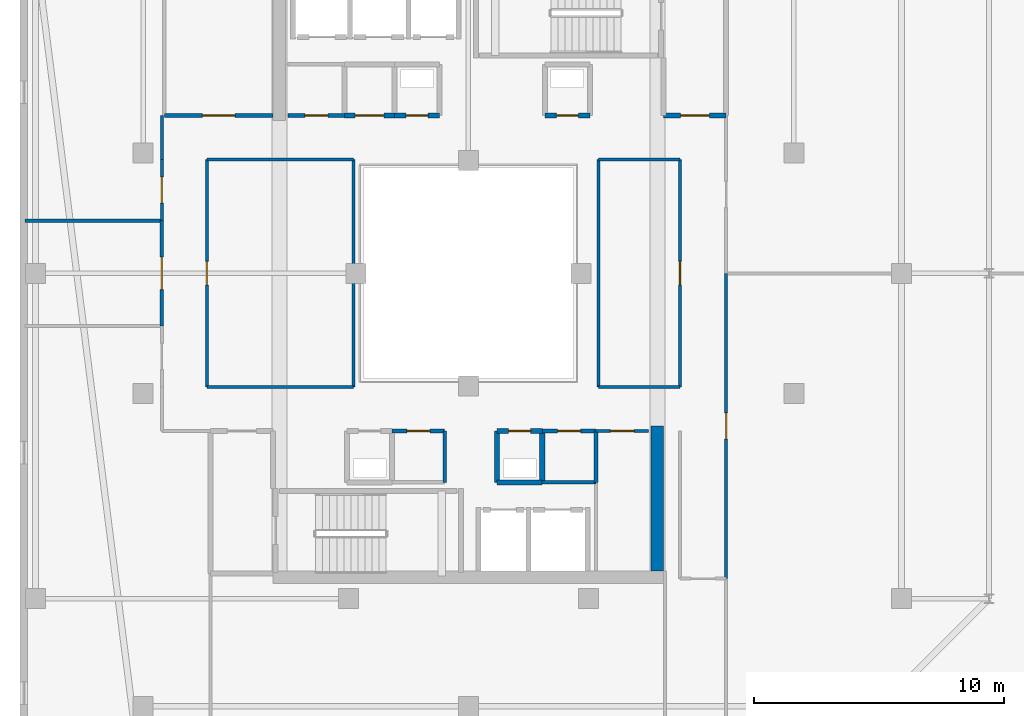
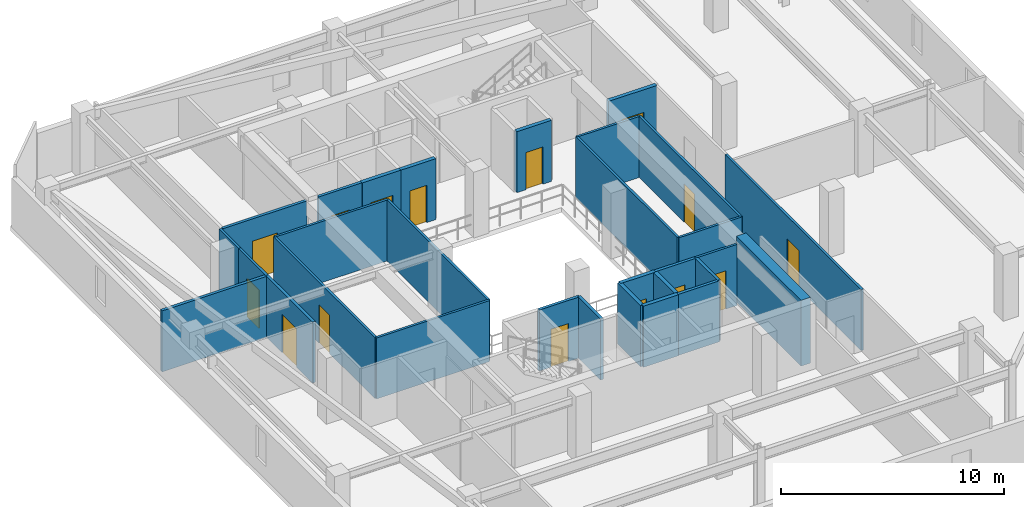
# One storey, part 22 of 34: 30 walls, 15 doors, 15 openings.
"""IFC4 building model written with IfcOpenShell, lengths in metres."""

from ifc_helpers import new_model, si_unit, direction, frame, frame_2d, origin, place, context, subcontext, project, spatial, rectangle, extrude, material, layer, layer_set, type_object, element, fill, save


model = new_model("IFC4")

# Units and contexts
model_context = context("Model", 3, precision=1e-05, world=origin(), true_north=direction((0.0, 1.0)))
body_context = subcontext(model_context, "Body", "Model", "MODEL_VIEW")
ifc_project = project(units=[si_unit("LENGTHUNIT", "METRE"), si_unit("AREAUNIT", "SQUARE_METRE"), si_unit("VOLUMEUNIT", "CUBIC_METRE"), si_unit("PLANEANGLEUNIT", "RADIAN"), si_unit("MASSUNIT", "GRAM", prefix="KILO")], contexts=[model_context])

# Site, building, storey
site_placement = place(None, origin())
site = spatial("IfcSite", under=ifc_project, at=site_placement, CompositionType="ELEMENT")
building_placement = place(site_placement, origin())
building = spatial("IfcBuilding", under=site, at=building_placement, Name="Thornwick Lancets Civic Towers", CompositionType="ELEMENT")
storey_placement = place(building_placement, frame((0.0, 0.0, 258.300048828125)))
storey = spatial("IfcBuildingStorey", under=building, at=storey_placement, Name="L69", CompositionType="ELEMENT", Elevation=258.300048828125)

# Wall, opening, door
ifc_material_1 = material(Name="Concrete blockwork C40/50", Category="masonry")
ifc_layer_1 = layer(ifc_material_1, 0.199951171875, Name="Concrete blockwork C40/50")
ifc_layer_set_1 = layer_set([ifc_layer_1], Name="Concrete blockwork C40/50")
wall_type_1 = type_object("IfcWallType", Name="WALL_COMP_200", PredefinedType="STANDARD", material=ifc_layer_set_1)
wall_1_placement = place(storey_placement, frame((33.300048828125, 33.300048828125, 0.0), z_axis=(0.0, 0.0, 1.0), x_axis=(1.0, 0.0, 0.0)))
wall_1 = element("IfcWall", 1, at=wall_1_placement, inside=storey, type_object=wall_type_1, Name="L69 Partition L69-A-FFLOB2 E1", PredefinedType="STANDARD", context=body_context, shape_type="SweptSolid", body=[
    extrude(rectangle(XDim=2.5, YDim=0.199951171875, at=frame_2d((1.25, 0.0))), origin(), (0.0, 0.0, 1.0), 3.33984375),
])
opening_1_placement = place(wall_1_placement, frame((0.675048828125, 0.0, 0.0)))
opening_1 = element("IfcOpeningElement", 2, at=opening_1_placement, cuts=wall_1, Name="Opening D-L69-3136", PredefinedType="OPENING", context=body_context, shape_type="SweptSolid", body=[
    extrude(rectangle(XDim=1.14990234375, YDim=2.10009765625, at=frame_2d((0.574951171875, 1.050048828125))), frame((0.0, 0.10986328125, 0.0), z_axis=(0.0, -1.0, 0.0), x_axis=(1.0, 0.0, 0.0)), (0.0, 0.0, 1.0), 0.219970703125),
])
ifc_material_2 = material(Name="Glazed fire-resisting steel", Category="steel")
door_type_1 = type_object("IfcDoorType", Name="DOOR_LOBBY_FD60", OperationType="NOTDEFINED", PredefinedType="DOOR", material=ifc_material_2)
door_1_placement = place(opening_1_placement, origin())
door_1 = element("IfcDoor", 3, at=door_1_placement, inside=storey, type_object=door_type_1, Name="L69 North Firefighting Lobby 2 Door", OperationType="SINGLE_SWING_LEFT", OverallHeight=2.10009765625, OverallWidth=1.14990234375, PredefinedType="DOOR", context=body_context, shape_type="SweptSolid", body=[
    extrude(rectangle(XDim=1.14990234375, YDim=2.10009765625, at=frame_2d((0.574951171875, 1.050048828125))), frame((0.0, 0.02490234375, 0.0), z_axis=(0.0, -1.0, 0.0), x_axis=(1.0, 0.0, 0.0)), (0.0, 0.0, 1.0), 0.050048828125),
])
fill(opening_1, door_1)

# Walls
wall_2_placement = place(storey_placement, frame((26.64990234375, 18.64990234375, 0.0), z_axis=(0.0, 0.0, 1.0), x_axis=(1.0, 0.0, 0.0)))
element("IfcWall", 4, at=wall_2_placement, inside=storey, type_object=wall_type_1, Name="L69 Partition L69-A-DUCT1 E1", PredefinedType="STANDARD", context=body_context, shape_type="SweptSolid", body=[
    extrude(rectangle(XDim=1.800048828125, YDim=0.199951171875, at=frame_2d((0.89990234375, 0.0))), origin(), (0.0, 0.0, 1.0), 3.33984375),
])
wall_3_placement = place(storey_placement, frame((28.449951171875, 18.64990234375, 0.0), z_axis=(0.0, 0.0, 1.0), x_axis=(0.0, 1.0, 0.0)))
element("IfcWall", 5, at=wall_3_placement, inside=storey, type_object=wall_type_1, Name="L69 Partition L69-A-DUCT1 E2", PredefinedType="STANDARD", context=body_context, shape_type="SweptSolid", body=[
    extrude(rectangle(XDim=2.050048828125, YDim=0.199951171875, at=frame_2d((1.02490234375, 0.0))), origin(), (0.0, 0.0, 1.0), 3.33984375),
])

# Wall, opening, door
wall_4_placement = place(storey_placement, frame((28.449951171875, 20.699951171875, 0.0), z_axis=(0.0, 0.0, 1.0), x_axis=(-1.0, 0.0, 0.0)))
wall_4 = element("IfcWall", 6, at=wall_4_placement, inside=storey, type_object=wall_type_1, Name="L69 Partition L69-A-DUCT1 E3", PredefinedType="STANDARD", context=body_context, shape_type="SweptSolid", body=[
    extrude(rectangle(XDim=1.800048828125, YDim=0.199951171875, at=frame_2d((0.89990234375, 0.0))), origin(), (0.0, 0.0, 1.0), 3.33984375),
])
opening_2_placement = place(wall_4_placement, frame((0.4599609375, 0.0, 0.0)))
opening_2 = element("IfcOpeningElement", 7, at=opening_2_placement, cuts=wall_4, Name="Opening D-L69-3137", PredefinedType="OPENING", context=body_context, shape_type="SweptSolid", body=[
    extrude(rectangle(XDim=0.8798828125, YDim=2.0400390625, at=frame_2d((0.43994140625, 1.02001953125))), frame((0.0, 0.10986328125, 0.0), z_axis=(0.0, -1.0, 0.0), x_axis=(1.0, 0.0, 0.0)), (0.0, 0.0, 1.0), 0.219970703125),
])
ifc_material_3 = material(Name="Steel riser access doorset", Category="steel")
door_type_2 = type_object("IfcDoorType", Name="DOOR_RISER_850", OperationType="NOTDEFINED", PredefinedType="DOOR", material=ifc_material_3)
door_2_placement = place(opening_2_placement, origin())
door_2 = element("IfcDoor", 8, at=door_2_placement, inside=storey, type_object=door_type_2, Name="L69 South Service Duct 1 Door", OperationType="SINGLE_SWING_RIGHT", OverallHeight=2.0400390625, OverallWidth=0.8798828125, PredefinedType="DOOR", context=body_context, shape_type="SweptSolid", body=[
    extrude(rectangle(XDim=0.8798828125, YDim=2.0400390625, at=frame_2d((0.43994140625, 1.02001953125))), frame((0.0, 0.02490234375, 0.0), z_axis=(0.0, -1.0, 0.0), x_axis=(1.0, 0.0, 0.0)), (0.0, 0.0, 1.0), 0.050048828125),
])
fill(opening_2, door_2)

# Wall
wall_5_placement = place(storey_placement, frame((26.64990234375, 20.699951171875, 0.0), z_axis=(0.0, 0.0, 1.0), x_axis=(0.0, -1.0, 0.0)))
element("IfcWall", 9, at=wall_5_placement, inside=storey, type_object=wall_type_1, Name="L69 Partition L69-A-DUCT1 E4", PredefinedType="STANDARD", context=body_context, shape_type="SweptSolid", body=[
    extrude(rectangle(XDim=2.050048828125, YDim=0.199951171875, at=frame_2d((1.02490234375, 0.0))), origin(), (0.0, 0.0, 1.0), 3.33984375),
])

# Wall, opening, door
wall_6_placement = place(storey_placement, frame((22.550048828125, 33.300048828125, 0.0), z_axis=(0.0, 0.0, 1.0), x_axis=(1.0, 0.0, 0.0)))
wall_6 = element("IfcWall", 10, at=wall_6_placement, inside=storey, type_object=wall_type_1, Name="L69 Partition L69-A-DUCT2 E1", PredefinedType="STANDARD", context=body_context, shape_type="SweptSolid", body=[
    extrude(rectangle(XDim=1.800048828125, YDim=0.199951171875, at=frame_2d((0.89990234375, 0.0))), origin(), (0.0, 0.0, 1.0), 3.33984375),
])
opening_3_placement = place(wall_6_placement, frame((0.4599609375, 0.0, 0.0)))
opening_3 = element("IfcOpeningElement", 11, at=opening_3_placement, cuts=wall_6, Name="Opening D-L69-3139", PredefinedType="OPENING", context=body_context, shape_type="SweptSolid", body=[
    extrude(rectangle(XDim=0.8798828125, YDim=2.0400390625, at=frame_2d((0.43994140625, 1.02001953125))), frame((0.0, 0.10986328125, 0.0), z_axis=(0.0, -1.0, 0.0), x_axis=(1.0, 0.0, 0.0)), (0.0, 0.0, 1.0), 0.219970703125),
])
door_3_placement = place(opening_3_placement, origin())
door_3 = element("IfcDoor", 12, at=door_3_placement, inside=storey, type_object=door_type_2, Name="L69 North Service Duct 2 Door", OperationType="SINGLE_SWING_RIGHT", OverallHeight=2.0400390625, OverallWidth=0.8798828125, PredefinedType="DOOR", context=body_context, shape_type="SweptSolid", body=[
    extrude(rectangle(XDim=0.8798828125, YDim=2.0400390625, at=frame_2d((0.43994140625, 1.02001953125))), frame((0.0, 0.02490234375, 0.0), z_axis=(0.0, -1.0, 0.0), x_axis=(1.0, 0.0, 0.0)), (0.0, 0.0, 1.0), 0.050048828125),
])
fill(opening_3, door_3)

wall_7_placement = place(storey_placement, frame((28.550048828125, 33.300048828125, 0.0), z_axis=(0.0, 0.0, 1.0), x_axis=(1.0, 0.0, 0.0)))
wall_7 = element("IfcWall", 13, at=wall_7_placement, inside=storey, type_object=wall_type_1, Name="L69 Partition L69-A-RISER2 E1", PredefinedType="STANDARD", context=body_context, shape_type="SweptSolid", body=[
    extrude(rectangle(XDim=1.800048828125, YDim=0.199951171875, at=frame_2d((0.89990234375, 0.0))), origin(), (0.0, 0.0, 1.0), 3.33984375),
])
opening_4_placement = place(wall_7_placement, frame((0.4599609375, 0.0, 0.0)))
opening_4 = element("IfcOpeningElement", 14, at=opening_4_placement, cuts=wall_7, Name="Opening D-L69-3140", PredefinedType="OPENING", context=body_context, shape_type="SweptSolid", body=[
    extrude(rectangle(XDim=0.8798828125, YDim=2.0400390625, at=frame_2d((0.43994140625, 1.02001953125))), frame((0.0, 0.10986328125, 0.0), z_axis=(0.0, -1.0, 0.0), x_axis=(1.0, 0.0, 0.0)), (0.0, 0.0, 1.0), 0.219970703125),
])
door_4_placement = place(opening_4_placement, origin())
door_4 = element("IfcDoor", 15, at=door_4_placement, inside=storey, type_object=door_type_2, Name="L69 North Service Riser 2 Door", OperationType="SINGLE_SWING_LEFT", OverallHeight=2.0400390625, OverallWidth=0.8798828125, PredefinedType="DOOR", context=body_context, shape_type="SweptSolid", body=[
    extrude(rectangle(XDim=0.8798828125, YDim=2.0400390625, at=frame_2d((0.43994140625, 1.02001953125))), frame((0.0, 0.02490234375, 0.0), z_axis=(0.0, -1.0, 0.0), x_axis=(1.0, 0.0, 0.0)), (0.0, 0.0, 1.0), 0.050048828125),
])
fill(opening_4, door_4)

wall_8_placement = place(storey_placement, frame((22.550048828125, 33.300048828125, 0.0), z_axis=(0.0, 0.0, 1.0), x_axis=(-1.0, 0.0, 0.0)))
wall_8 = element("IfcWall", 16, at=wall_8_placement, inside=storey, type_object=wall_type_1, Name="L69 Partition L69-A-STR E4", PredefinedType="STANDARD", context=body_context, shape_type="SweptSolid", body=[
    extrude(rectangle(XDim=2.0, YDim=0.199951171875, at=frame_2d((1.0, 0.0))), origin(), (0.0, 0.0, 1.0), 3.33984375),
])
opening_5_placement = place(wall_8_placement, frame((0.425048828125, 0.0, 0.0)))
opening_5 = element("IfcOpeningElement", 17, at=opening_5_placement, cuts=wall_8, Name="Opening D-L69-3145", PredefinedType="OPENING", context=body_context, shape_type="SweptSolid", body=[
    extrude(rectangle(XDim=1.14990234375, YDim=2.10009765625, at=frame_2d((0.574951171875, 1.050048828125))), frame((0.0, 0.10986328125, 0.0), z_axis=(0.0, -1.0, 0.0), x_axis=(1.0, 0.0, 0.0)), (0.0, 0.0, 1.0), 0.219970703125),
])
door_5_placement = place(opening_5_placement, origin())
door_5 = element("IfcDoor", 18, at=door_5_placement, inside=storey, type_object=door_type_1, Name="L69 Tower A Core Records Store Door", OperationType="SINGLE_SWING_RIGHT", OverallHeight=2.10009765625, OverallWidth=1.14990234375, PredefinedType="DOOR", context=body_context, shape_type="SweptSolid", body=[
    extrude(rectangle(XDim=1.14990234375, YDim=2.10009765625, at=frame_2d((0.574951171875, 1.050048828125))), frame((0.0, 0.02490234375, 0.0), z_axis=(0.0, -1.0, 0.0), x_axis=(1.0, 0.0, 0.0)), (0.0, 0.0, 1.0), 0.050048828125),
])
fill(opening_5, door_5)

# Wall
ifc_material_4 = material(Name="Concrete C50/60", Category="concrete")
ifc_layer_2 = layer(ifc_material_4, 0.5, Name="Concrete C50/60")
ifc_layer_set_2 = layer_set([ifc_layer_2], Name="Concrete C50/60")
wall_type_2 = type_object("IfcWallType", Name="WALL_CORE_500", PredefinedType="SHEAR", material=ifc_layer_set_2)
wall_9_placement = place(storey_placement, frame((33.050048828125, 15.10009765625, 0.0), z_axis=(0.0, 0.0, 1.0), x_axis=(0.0, 1.0, 0.0)))
element("IfcWall", 19, at=wall_9_placement, inside=storey, type_object=wall_type_2, Name="L69 Split Core A1 Shear Wall E", PredefinedType="SHEAR", context=body_context, shape_type="SweptSolid", body=[
    extrude(rectangle(XDim=5.7998046875, YDim=0.5, at=frame_2d((2.89990234375, 0.0))), origin(), (0.0, 0.0, 1.0), 3.599853515625),
])

# Wall, opening, door
ifc_material_5 = material(Name="Acoustic gypsum board partition")
ifc_layer_3 = layer(ifc_material_5, 0.1201171875, Name="Acoustic gypsum board partition")
ifc_layer_set_3 = layer_set([ifc_layer_3], Name="Acoustic gypsum board partition")
wall_type_3 = type_object("IfcWallType", Name="WALL_PART_120", PredefinedType="PARTITIONING", material=ifc_layer_set_3)
wall_10_placement = place(storey_placement, frame((30.60009765625, 20.699951171875, 0.0), z_axis=(0.0, 0.0, 1.0), x_axis=(1.0, 0.0, 0.0)))
wall_10 = element("IfcWall", 20, at=wall_10_placement, inside=storey, type_object=wall_type_3, Name="L69 Partition L69-A-ITR E5", PredefinedType="PARTITIONING", context=body_context, shape_type="SweptSolid", body=[
    extrude(rectangle(XDim=2.099853515625, YDim=0.1201171875, at=frame_2d((1.0498046875, 0.0))), origin(), (0.0, 0.0, 1.0), 3.33984375),
])
opening_6_placement = place(wall_10_placement, frame((0.574951171875, 0.0, 0.0)))
opening_6 = element("IfcOpeningElement", 21, at=opening_6_placement, cuts=wall_10, Name="Opening D-L69-3143", PredefinedType="OPENING", context=body_context, shape_type="SweptSolid", body=[
    extrude(rectangle(XDim=0.949951171875, YDim=2.10009765625, at=frame_2d((0.47509765625, 1.050048828125))), frame((0.0, 0.070068359375, 0.0), z_axis=(0.0, -1.0, 0.0), x_axis=(1.0, 0.0, 0.0)), (0.0, 0.0, 1.0), 0.14013671875),
])
ifc_material_6 = material(Name="European oak acoustic doorset")
door_type_3 = type_object("IfcDoorType", Name="DOOR_OFFICE_950", OperationType="NOTDEFINED", PredefinedType="DOOR", material=ifc_material_6)
door_6_placement = place(opening_6_placement, origin())
door_6 = element("IfcDoor", 22, at=door_6_placement, inside=storey, type_object=door_type_3, Name="L69 Tower A Comms Patch Room Door", OperationType="SINGLE_SWING_RIGHT", OverallHeight=2.10009765625, OverallWidth=0.949951171875, PredefinedType="DOOR", context=body_context, shape_type="SweptSolid", body=[
    extrude(rectangle(XDim=0.949951171875, YDim=2.10009765625, at=frame_2d((0.47509765625, 1.050048828125))), frame((0.0, 0.02490234375, 0.0), z_axis=(0.0, -1.0, 0.0), x_axis=(1.0, 0.0, 0.0)), (0.0, 0.0, 1.0), 0.050048828125),
])
fill(opening_6, door_6)

# Wall
wall_11_placement = place(storey_placement, frame((13.25, 33.300048828125, 0.0), z_axis=(0.0, 0.0, 1.0), x_axis=(0.0, -1.0, 0.0)))
element("IfcWall", 23, at=wall_11_placement, inside=storey, type_object=wall_type_3, Name="L69 Partition L69-A-W2B E5", PredefinedType="PARTITIONING", context=body_context, shape_type="SweptSolid", body=[
    extrude(rectangle(XDim=1.75, YDim=0.1201171875, at=frame_2d((0.875, 0.0))), origin(), (0.0, 0.0, 1.0), 3.33984375),
])

# Wall, opening, door
wall_12_placement = place(storey_placement, frame((13.25, 31.550048828125, 0.0), z_axis=(0.0, 0.0, 1.0), x_axis=(0.0, -1.0, 0.0)))
wall_12 = element("IfcWall", 24, at=wall_12_placement, inside=storey, type_object=wall_type_3, Name="L69 Partition L69-A-W2B E6", PredefinedType="PARTITIONING", context=body_context, shape_type="SweptSolid", body=[
    extrude(rectangle(XDim=2.449951171875, YDim=0.1201171875, at=frame_2d((1.22509765625, 0.0))), origin(), (0.0, 0.0, 1.0), 3.33984375),
])
opening_7_placement = place(wall_12_placement, frame((0.699951171875, 0.0, 0.0)))
opening_7 = element("IfcOpeningElement", 25, at=opening_7_placement, cuts=wall_12, Name="Opening D-L69-3161", PredefinedType="OPENING", context=body_context, shape_type="SweptSolid", body=[
    extrude(rectangle(XDim=1.050048828125, YDim=2.10009765625, at=frame_2d((0.52490234375, 1.050048828125))), frame((0.0, 0.070068359375, 0.0), z_axis=(0.0, -1.0, 0.0), x_axis=(1.0, 0.0, 0.0)), (0.0, 0.0, 1.0), 0.14013671875),
])
ifc_material_7 = material(Name="Glazed European oak executive doorset")
door_type_4 = type_object("IfcDoorType", Name="DOOR_OFFICE_1050", OperationType="NOTDEFINED", PredefinedType="DOOR", material=ifc_material_7)
door_7_placement = place(opening_7_placement, origin())
door_7 = element("IfcDoor", 26, at=door_7_placement, inside=storey, type_object=door_type_4, Name="L69 Tower A Parliamentary Casework Suite W2B Door", OperationType="SINGLE_SWING_RIGHT", OverallHeight=2.10009765625, OverallWidth=1.050048828125, PredefinedType="DOOR", context=body_context, shape_type="SweptSolid", body=[
    extrude(rectangle(XDim=1.050048828125, YDim=2.10009765625, at=frame_2d((0.52490234375, 1.050048828125))), frame((0.0, 0.02490234375, 0.0), z_axis=(0.0, -1.0, 0.0), x_axis=(1.0, 0.0, 0.0)), (0.0, 0.0, 1.0), 0.050048828125),
])
fill(opening_7, door_7)

wall_13_placement = place(storey_placement, frame((15.050048828125, 22.449951171875, 0.0), z_axis=(0.0, 0.0, 1.0), x_axis=(0.0, 1.0, 0.0)))
wall_13 = element("IfcWall", 27, at=wall_13_placement, inside=storey, type_object=wall_type_3, Name="L69 Partition L69-A-W3 E1", PredefinedType="PARTITIONING", context=body_context, shape_type="SweptSolid", body=[
    extrude(rectangle(XDim=9.10009765625, YDim=0.1201171875, at=frame_2d((4.550048828125, 0.0))), origin(), (0.0, 0.0, 1.0), 3.33984375),
])
opening_8_placement = place(wall_13_placement, frame((4.074951171875, 0.0, 0.0)))
opening_8 = element("IfcOpeningElement", 28, at=opening_8_placement, cuts=wall_13, Name="Opening D-L69-3162", PredefinedType="OPENING", context=body_context, shape_type="SweptSolid", body=[
    extrude(rectangle(XDim=0.949951171875, YDim=2.10009765625, at=frame_2d((0.47509765625, 1.050048828125))), frame((0.0, 0.070068359375, 0.0), z_axis=(0.0, -1.0, 0.0), x_axis=(1.0, 0.0, 0.0)), (0.0, 0.0, 1.0), 0.14013671875),
])
door_8_placement = place(opening_8_placement, origin())
door_8 = element("IfcDoor", 29, at=door_8_placement, inside=storey, type_object=door_type_3, Name="L69 Tower A West Atrium Gallery Suite Door", OperationType="SINGLE_SWING_LEFT", OverallHeight=2.10009765625, OverallWidth=0.949951171875, PredefinedType="DOOR", context=body_context, shape_type="SweptSolid", body=[
    extrude(rectangle(XDim=0.949951171875, YDim=2.10009765625, at=frame_2d((0.47509765625, 1.050048828125))), frame((0.0, 0.02490234375, 0.0), z_axis=(0.0, -1.0, 0.0), x_axis=(1.0, 0.0, 0.0)), (0.0, 0.0, 1.0), 0.050048828125),
])
fill(opening_8, door_8)

# Walls
wall_14_placement = place(storey_placement, frame((15.050048828125, 31.550048828125, 0.0), z_axis=(0.0, 0.0, 1.0), x_axis=(1.0, 0.0, 0.0)))
element("IfcWall", 30, at=wall_14_placement, inside=storey, type_object=wall_type_3, Name="L69 Partition L69-A-W3 E2", PredefinedType="PARTITIONING", context=body_context, shape_type="SweptSolid", body=[
    extrude(rectangle(XDim=5.849853515625, YDim=0.1201171875, at=frame_2d((2.9248046875, 0.0))), origin(), (0.0, 0.0, 1.0), 3.33984375),
])
wall_15_placement = place(storey_placement, frame((20.89990234375, 31.550048828125, 0.0), z_axis=(0.0, 0.0, 1.0), x_axis=(0.0, -1.0, 0.0)))
element("IfcWall", 31, at=wall_15_placement, inside=storey, type_object=wall_type_3, Name="L69 Partition L69-A-W3 E3", PredefinedType="PARTITIONING", context=body_context, shape_type="SweptSolid", body=[
    extrude(rectangle(XDim=9.10009765625, YDim=0.1201171875, at=frame_2d((4.550048828125, 0.0))), origin(), (0.0, 0.0, 1.0), 3.33984375),
])
wall_16_placement = place(storey_placement, frame((20.89990234375, 22.449951171875, 0.0), z_axis=(0.0, 0.0, 1.0), x_axis=(-1.0, 0.0, 0.0)))
element("IfcWall", 32, at=wall_16_placement, inside=storey, type_object=wall_type_3, Name="L69 Partition L69-A-W3 E4", PredefinedType="PARTITIONING", context=body_context, shape_type="SweptSolid", body=[
    extrude(rectangle(XDim=5.849853515625, YDim=0.1201171875, at=frame_2d((2.9248046875, 0.0))), origin(), (0.0, 0.0, 1.0), 3.33984375),
])

# Wall, opening, door
wall_17_placement = place(storey_placement, frame((35.800048828125, 14.800048828125, 0.0), z_axis=(0.0, 0.0, 1.0), x_axis=(0.0, 1.0, 0.0)))
wall_17 = element("IfcWall", 33, at=wall_17_placement, inside=storey, type_object=wall_type_3, Name="L69 Partition L69-A-E1 E3", PredefinedType="PARTITIONING", context=body_context, shape_type="SweptSolid", body=[
    extrude(rectangle(XDim=12.199951171875, YDim=0.1201171875, at=frame_2d((6.10009765625, 0.0))), origin(), (0.0, 0.0, 1.0), 3.33984375),
])
opening_9_placement = place(wall_17_placement, frame((5.574951171875, 0.0, 0.0)))
opening_9 = element("IfcOpeningElement", 34, at=opening_9_placement, cuts=wall_17, Name="Opening D-L69-3163", PredefinedType="OPENING", context=body_context, shape_type="SweptSolid", body=[
    extrude(rectangle(XDim=1.050048828125, YDim=2.10009765625, at=frame_2d((0.52490234375, 1.050048828125))), frame((0.0, 0.070068359375, 0.0), z_axis=(0.0, -1.0, 0.0), x_axis=(1.0, 0.0, 0.0)), (0.0, 0.0, 1.0), 0.14013671875),
])
door_9_placement = place(opening_9_placement, origin())
door_9 = element("IfcDoor", 35, at=door_9_placement, inside=storey, type_object=door_type_4, Name="L69 Tower A Secretariat Open Office E1 Door", OperationType="SINGLE_SWING_RIGHT", OverallHeight=2.10009765625, OverallWidth=1.050048828125, PredefinedType="DOOR", context=body_context, shape_type="SweptSolid", body=[
    extrude(rectangle(XDim=1.050048828125, YDim=2.10009765625, at=frame_2d((0.52490234375, 1.050048828125))), frame((0.0, 0.02490234375, 0.0), z_axis=(0.0, -1.0, 0.0), x_axis=(1.0, 0.0, 0.0)), (0.0, 0.0, 1.0), 0.050048828125),
])
fill(opening_9, door_9)

# Walls
wall_18_placement = place(storey_placement, frame((30.699951171875, 22.449951171875, 0.0), z_axis=(0.0, 0.0, 1.0), x_axis=(0.0, 1.0, 0.0)))
element("IfcWall", 36, at=wall_18_placement, inside=storey, type_object=wall_type_3, Name="L69 Partition L69-A-E-ATRIUM-OFF E1", PredefinedType="PARTITIONING", context=body_context, shape_type="SweptSolid", body=[
    extrude(rectangle(XDim=9.10009765625, YDim=0.1201171875, at=frame_2d((4.550048828125, 0.0))), origin(), (0.0, 0.0, 1.0), 3.33984375),
])
wall_19_placement = place(storey_placement, frame((30.699951171875, 31.550048828125, 0.0), z_axis=(0.0, 0.0, 1.0), x_axis=(1.0, 0.0, 0.0)))
element("IfcWall", 37, at=wall_19_placement, inside=storey, type_object=wall_type_3, Name="L69 Partition L69-A-E-ATRIUM-OFF E2", PredefinedType="PARTITIONING", context=body_context, shape_type="SweptSolid", body=[
    extrude(rectangle(XDim=3.25, YDim=0.1201171875, at=frame_2d((1.625, 0.0))), origin(), (0.0, 0.0, 1.0), 3.33984375),
])

# Wall, opening, door
wall_20_placement = place(storey_placement, frame((33.949951171875, 31.550048828125, 0.0), z_axis=(0.0, 0.0, 1.0), x_axis=(0.0, -1.0, 0.0)))
wall_20 = element("IfcWall", 38, at=wall_20_placement, inside=storey, type_object=wall_type_3, Name="L69 Partition L69-A-E-ATRIUM-OFF E3", PredefinedType="PARTITIONING", context=body_context, shape_type="SweptSolid", body=[
    extrude(rectangle(XDim=9.10009765625, YDim=0.1201171875, at=frame_2d((4.550048828125, 0.0))), origin(), (0.0, 0.0, 1.0), 3.33984375),
])
opening_10_placement = place(wall_20_placement, frame((4.074951171875, 0.0, 0.0)))
opening_10 = element("IfcOpeningElement", 39, at=opening_10_placement, cuts=wall_20, Name="Opening D-L69-3165", PredefinedType="OPENING", context=body_context, shape_type="SweptSolid", body=[
    extrude(rectangle(XDim=0.949951171875, YDim=2.10009765625, at=frame_2d((0.47509765625, 1.050048828125))), frame((0.0, 0.070068359375, 0.0), z_axis=(0.0, -1.0, 0.0), x_axis=(1.0, 0.0, 0.0)), (0.0, 0.0, 1.0), 0.14013671875),
])
door_10_placement = place(opening_10_placement, origin())
door_10 = element("IfcDoor", 40, at=door_10_placement, inside=storey, type_object=door_type_3, Name="L69 Tower A Atrium Policy Office Door", OperationType="SINGLE_SWING_RIGHT", OverallHeight=2.10009765625, OverallWidth=0.949951171875, PredefinedType="DOOR", context=body_context, shape_type="SweptSolid", body=[
    extrude(rectangle(XDim=0.949951171875, YDim=2.10009765625, at=frame_2d((0.47509765625, 1.050048828125))), frame((0.0, 0.02490234375, 0.0), z_axis=(0.0, -1.0, 0.0), x_axis=(1.0, 0.0, 0.0)), (0.0, 0.0, 1.0), 0.050048828125),
])
fill(opening_10, door_10)

# Walls
wall_21_placement = place(storey_placement, frame((33.949951171875, 22.449951171875, 0.0), z_axis=(0.0, 0.0, 1.0), x_axis=(-1.0, 0.0, 0.0)))
element("IfcWall", 41, at=wall_21_placement, inside=storey, type_object=wall_type_3, Name="L69 Partition L69-A-E-ATRIUM-OFF E4", PredefinedType="PARTITIONING", context=body_context, shape_type="SweptSolid", body=[
    extrude(rectangle(XDim=3.25, YDim=0.1201171875, at=frame_2d((1.625, 0.0))), origin(), (0.0, 0.0, 1.0), 3.33984375),
])
ifc_material_8 = material(Name="Twin-stud acoustic gypsum board")
ifc_layer_4 = layer(ifc_material_8, 0.14990234375, Name="Twin-stud acoustic gypsum board")
ifc_layer_set_4 = layer_set([ifc_layer_4], Name="Twin-stud acoustic gypsum board")
wall_type_4 = type_object("IfcWallType", Name="WALL_PART_150", PredefinedType="PARTITIONING", material=ifc_layer_set_4)
wall_22_placement = place(storey_placement, frame((24.550048828125, 20.699951171875, 0.0), z_axis=(0.0, 0.0, 1.0), x_axis=(0.0, -1.0, 0.0)))
element("IfcWall", 42, at=wall_22_placement, inside=storey, type_object=wall_type_4, Name="L69 Partition L69-A-MWC E1", PredefinedType="PARTITIONING", context=body_context, shape_type="SweptSolid", body=[
    extrude(rectangle(XDim=2.050048828125, YDim=0.14990234375, at=frame_2d((1.02490234375, 0.0))), origin(), (0.0, 0.0, 1.0), 3.33984375),
])

# Wall, opening, door
wall_23_placement = place(storey_placement, frame((22.449951171875, 20.699951171875, 0.0), z_axis=(0.0, 0.0, 1.0), x_axis=(1.0, 0.0, 0.0)))
wall_23 = element("IfcWall", 43, at=wall_23_placement, inside=storey, type_object=wall_type_4, Name="L69 Partition L69-A-MWC E4", PredefinedType="PARTITIONING", context=body_context, shape_type="SweptSolid", body=[
    extrude(rectangle(XDim=2.10009765625, YDim=0.14990234375, at=frame_2d((1.050048828125, 0.0))), origin(), (0.0, 0.0, 1.0), 3.33984375),
])
opening_11_placement = place(wall_23_placement, frame((0.590087890625, 0.0, 0.0)))
opening_11 = element("IfcOpeningElement", 44, at=opening_11_placement, cuts=wall_23, Name="Opening D-L69-3141", PredefinedType="OPENING", context=body_context, shape_type="SweptSolid", body=[
    extrude(rectangle(XDim=0.919921875, YDim=2.080078125, at=frame_2d((0.4599609375, 1.0400390625))), frame((0.0, 0.0849609375, 0.0), z_axis=(0.0, -1.0, 0.0), x_axis=(1.0, 0.0, 0.0)), (0.0, 0.0, 1.0), 0.169921875),
])
ifc_material_9 = material(Name="Moisture-resistant oak doorset")
door_type_5 = type_object("IfcDoorType", Name="DOOR_WC_900", OperationType="NOTDEFINED", PredefinedType="DOOR", material=ifc_material_9)
door_11_placement = place(opening_11_placement, origin())
door_11 = element("IfcDoor", 45, at=door_11_placement, inside=storey, type_object=door_type_5, Name="L69 Tower A Male WC Door", OperationType="SINGLE_SWING_RIGHT", OverallHeight=2.080078125, OverallWidth=0.919921875, PredefinedType="DOOR", context=body_context, shape_type="SweptSolid", body=[
    extrude(rectangle(XDim=0.919921875, YDim=2.080078125, at=frame_2d((0.4599609375, 1.0400390625))), frame((0.0, 0.02490234375, 0.0), z_axis=(0.0, -1.0, 0.0), x_axis=(1.0, 0.0, 0.0)), (0.0, 0.0, 1.0), 0.050048828125),
])
fill(opening_11, door_11)

# Walls
wall_24_placement = place(storey_placement, frame((30.60009765625, 20.699951171875, 0.0), z_axis=(0.0, 0.0, 1.0), x_axis=(0.0, -1.0, 0.0)))
element("IfcWall", 46, at=wall_24_placement, inside=storey, type_object=wall_type_4, Name="L69 Partition L69-A-FWC E1", PredefinedType="PARTITIONING", context=body_context, shape_type="SweptSolid", body=[
    extrude(rectangle(XDim=2.050048828125, YDim=0.14990234375, at=frame_2d((1.02490234375, 0.0))), origin(), (0.0, 0.0, 1.0), 3.33984375),
])
wall_25_placement = place(storey_placement, frame((30.60009765625, 18.64990234375, 0.0), z_axis=(0.0, 0.0, 1.0), x_axis=(-1.0, 0.0, 0.0)))
element("IfcWall", 47, at=wall_25_placement, inside=storey, type_object=wall_type_4, Name="L69 Partition L69-A-FWC E2", PredefinedType="PARTITIONING", context=body_context, shape_type="SweptSolid", body=[
    extrude(rectangle(XDim=2.150146484375, YDim=0.14990234375, at=frame_2d((1.0751953125, 0.0))), origin(), (0.0, 0.0, 1.0), 3.33984375),
])

# Wall, opening, door
wall_26_placement = place(storey_placement, frame((28.449951171875, 20.699951171875, 0.0), z_axis=(0.0, 0.0, 1.0), x_axis=(1.0, 0.0, 0.0)))
wall_26 = element("IfcWall", 48, at=wall_26_placement, inside=storey, type_object=wall_type_4, Name="L69 Partition L69-A-FWC E4", PredefinedType="PARTITIONING", context=body_context, shape_type="SweptSolid", body=[
    extrude(rectangle(XDim=2.150146484375, YDim=0.14990234375, at=frame_2d((1.0751953125, 0.0))), origin(), (0.0, 0.0, 1.0), 3.33984375),
])
opening_12_placement = place(wall_26_placement, frame((0.614990234375, 0.0, 0.0)))
opening_12 = element("IfcOpeningElement", 49, at=opening_12_placement, cuts=wall_26, Name="Opening D-L69-3142", PredefinedType="OPENING", context=body_context, shape_type="SweptSolid", body=[
    extrude(rectangle(XDim=0.919921875, YDim=2.080078125, at=frame_2d((0.4599609375, 1.0400390625))), frame((0.0, 0.0849609375, 0.0), z_axis=(0.0, -1.0, 0.0), x_axis=(1.0, 0.0, 0.0)), (0.0, 0.0, 1.0), 0.169921875),
])
door_12_placement = place(opening_12_placement, origin())
door_12 = element("IfcDoor", 50, at=door_12_placement, inside=storey, type_object=door_type_5, Name="L69 Tower A Female WC Door", OperationType="SINGLE_SWING_LEFT", OverallHeight=2.080078125, OverallWidth=0.919921875, PredefinedType="DOOR", context=body_context, shape_type="SweptSolid", body=[
    extrude(rectangle(XDim=0.919921875, YDim=2.080078125, at=frame_2d((0.4599609375, 1.0400390625))), frame((0.0, 0.02490234375, 0.0), z_axis=(0.0, -1.0, 0.0), x_axis=(1.0, 0.0, 0.0)), (0.0, 0.0, 1.0), 0.050048828125),
])
fill(opening_12, door_12)

wall_27_placement = place(storey_placement, frame((18.300048828125, 33.300048828125, 0.0), z_axis=(0.0, 0.0, 1.0), x_axis=(1.0, 0.0, 0.0)))
wall_27 = element("IfcWall", 51, at=wall_27_placement, inside=storey, type_object=wall_type_4, Name="L69 Partition L69-A-AWC E1", PredefinedType="PARTITIONING", context=body_context, shape_type="SweptSolid", body=[
    extrude(rectangle(XDim=2.25, YDim=0.14990234375, at=frame_2d((1.125, 0.0))), origin(), (0.0, 0.0, 1.0), 3.33984375),
])
opening_13_placement = place(wall_27_placement, frame((0.6650390625, 0.0, 0.0)))
opening_13 = element("IfcOpeningElement", 52, at=opening_13_placement, cuts=wall_27, Name="Opening D-L69-3144", PredefinedType="OPENING", context=body_context, shape_type="SweptSolid", body=[
    extrude(rectangle(XDim=0.919921875, YDim=2.080078125, at=frame_2d((0.4599609375, 1.0400390625))), frame((0.0, 0.0849609375, 0.0), z_axis=(0.0, -1.0, 0.0), x_axis=(1.0, 0.0, 0.0)), (0.0, 0.0, 1.0), 0.169921875),
])
door_13_placement = place(opening_13_placement, origin())
door_13 = element("IfcDoor", 53, at=door_13_placement, inside=storey, type_object=door_type_5, Name="L69 Tower A Accessible WC Door", OperationType="SINGLE_SWING_LEFT", OverallHeight=2.080078125, OverallWidth=0.919921875, PredefinedType="DOOR", context=body_context, shape_type="SweptSolid", body=[
    extrude(rectangle(XDim=0.919921875, YDim=2.080078125, at=frame_2d((0.4599609375, 1.0400390625))), frame((0.0, 0.02490234375, 0.0), z_axis=(0.0, -1.0, 0.0), x_axis=(1.0, 0.0, 0.0)), (0.0, 0.0, 1.0), 0.050048828125),
])
fill(opening_13, door_13)

wall_28_placement = place(storey_placement, frame((17.699951171875, 33.300048828125, 0.0), z_axis=(0.0, 0.0, 1.0), x_axis=(-1.0, 0.0, 0.0)))
wall_28 = element("IfcWall", 54, at=wall_28_placement, inside=storey, type_object=wall_type_4, Name="L69 Partition L69-A-RECLAIM-M1 E4", PredefinedType="PARTITIONING", context=body_context, shape_type="SweptSolid", body=[
    extrude(rectangle(XDim=4.349853515625, YDim=0.14990234375, at=frame_2d((2.1748046875, 0.0))), origin(), (0.0, 0.0, 1.0), 3.33984375),
])
opening_14_placement = place(wall_28_placement, frame((1.52490234375, 0.0, 0.0)))
opening_14 = element("IfcOpeningElement", 55, at=opening_14_placement, cuts=wall_28, Name="Opening D-L69-3158", PredefinedType="OPENING", context=body_context, shape_type="SweptSolid", body=[
    extrude(rectangle(XDim=1.300048828125, YDim=2.1201171875, at=frame_2d((0.64990234375, 1.06005859375))), frame((0.0, 0.0849609375, 0.0), z_axis=(0.0, -1.0, 0.0), x_axis=(1.0, 0.0, 0.0)), (0.0, 0.0, 1.0), 0.169921875),
])
ifc_material_10 = material(Name="Acoustic oak leaf-and-a-half doorset")
door_type_6 = type_object("IfcDoorType", Name="DOOR_MEET_1300", OperationType="DOUBLE_DOOR_SINGLE_SWING", PredefinedType="DOOR", material=ifc_material_10)
door_14_placement = place(opening_14_placement, origin())
door_14 = element("IfcDoor", 56, at=door_14_placement, inside=storey, type_object=door_type_6, Name="L69 Tower A Diplomatic Conference Suite Door", OperationType="DOUBLE_DOOR_SINGLE_SWING", OverallHeight=2.1201171875, OverallWidth=1.300048828125, PredefinedType="DOOR", context=body_context, shape_type="SweptSolid", body=[
    extrude(rectangle(XDim=1.300048828125, YDim=2.1201171875, at=frame_2d((0.64990234375, 1.06005859375))), frame((0.0, 0.02490234375, 0.0), z_axis=(0.0, -1.0, 0.0), x_axis=(1.0, 0.0, 0.0)), (0.0, 0.0, 1.0), 0.050048828125),
])
fill(opening_14, door_14)

wall_29_placement = place(storey_placement, frame((13.25, 29.10009765625, 0.0), z_axis=(0.0, 0.0, 1.0), x_axis=(0.0, -1.0, 0.0)))
wall_29 = element("IfcWall", 57, at=wall_29_placement, inside=storey, type_object=wall_type_4, Name="L69 Partition L69-A-W2 E1", PredefinedType="PARTITIONING", context=body_context, shape_type="SweptSolid", body=[
    extrude(rectangle(XDim=4.2001953125, YDim=0.14990234375, at=frame_2d((2.10009765625, 0.0))), origin(), (0.0, 0.0, 1.0), 3.33984375),
])
opening_15_placement = place(wall_29_placement, frame((1.449951171875, 0.0, 0.0)))
opening_15 = element("IfcOpeningElement", 58, at=opening_15_placement, cuts=wall_29, Name="Opening D-L69-3160", PredefinedType="OPENING", context=body_context, shape_type="SweptSolid", body=[
    extrude(rectangle(XDim=1.300048828125, YDim=2.1201171875, at=frame_2d((0.64990234375, 1.06005859375))), frame((0.0, 0.0849609375, 0.0), z_axis=(0.0, -1.0, 0.0), x_axis=(1.0, 0.0, 0.0)), (0.0, 0.0, 1.0), 0.169921875),
])
door_15_placement = place(opening_15_placement, origin())
door_15 = element("IfcDoor", 59, at=door_15_placement, inside=storey, type_object=door_type_6, Name="L69 Tower A Policy Briefing Room W2 Door", OperationType="DOUBLE_DOOR_SINGLE_SWING", OverallHeight=2.1201171875, OverallWidth=1.300048828125, PredefinedType="DOOR", context=body_context, shape_type="SweptSolid", body=[
    extrude(rectangle(XDim=1.300048828125, YDim=2.1201171875, at=frame_2d((0.64990234375, 1.06005859375))), frame((0.0, 0.02490234375, 0.0), z_axis=(0.0, -1.0, 0.0), x_axis=(1.0, 0.0, 0.0)), (0.0, 0.0, 1.0), 0.050048828125),
])
fill(opening_15, door_15)

# Wall
wall_30_placement = place(storey_placement, frame((7.780029296875, 29.10009765625, 0.0), z_axis=(0.0, 0.0, 1.0), x_axis=(1.0, 0.0, 0.0)))
element("IfcWall", 60, at=wall_30_placement, inside=storey, type_object=wall_type_4, Name="L69 Partition L69-A-W2 E4", PredefinedType="PARTITIONING", context=body_context, shape_type="SweptSolid", body=[
    extrude(rectangle(XDim=5.469970703125, YDim=0.14990234375, at=frame_2d((2.73486328125, 0.0))), origin(), (0.0, 0.0, 1.0), 3.33984375),
])

save(model, "model.ifc")
